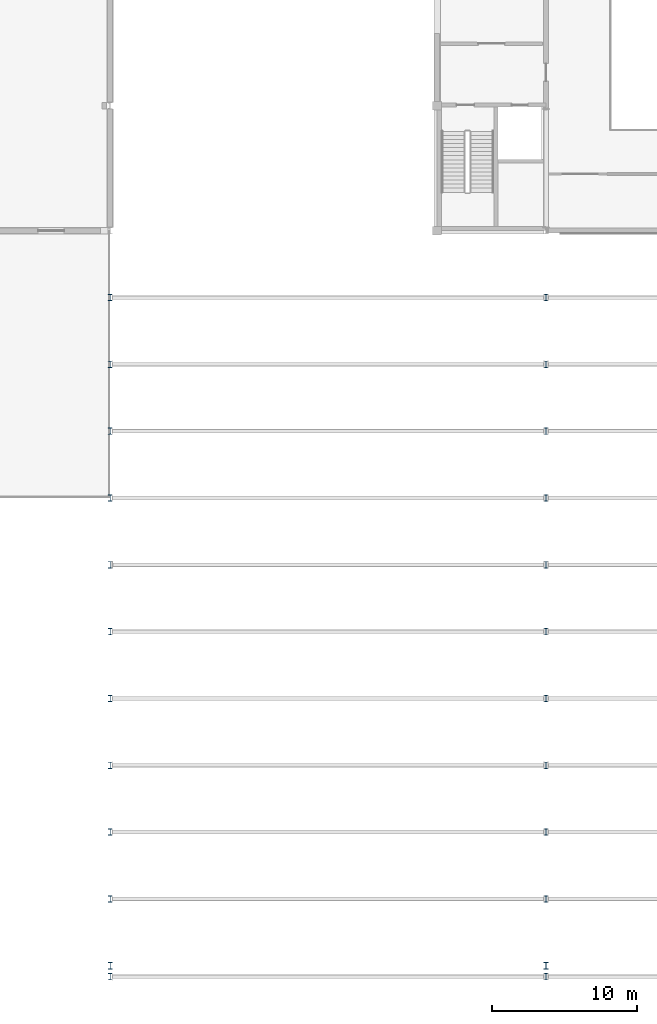
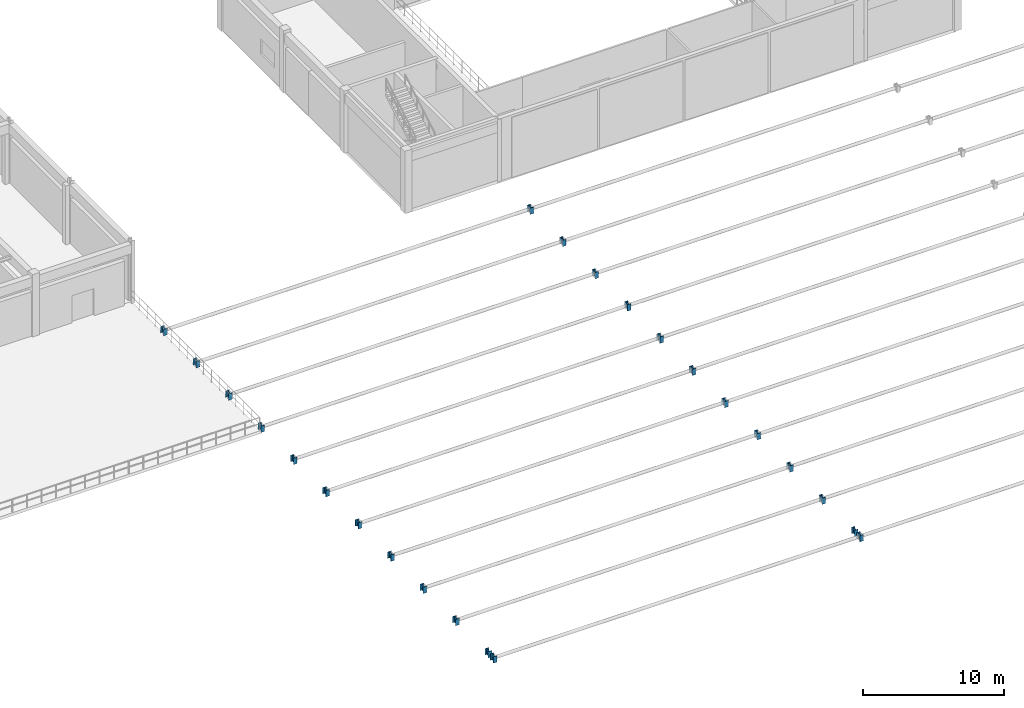
# One storey, part 8 of 38: 24 columns.
"""IFC4 building model written with IfcOpenShell, lengths in metres."""

from ifc_helpers import new_model, si_unit, direction, frame, origin, origin_2d, place, context, subcontext, project, spatial, i_section, extrude, material, material_profile, profile_set, type_object, element, save


model = new_model("IFC4")

# Units and contexts
model_context = context("Model", 3, precision=1e-05, world=origin(), true_north=direction((0.0, 1.0)))
body_context = subcontext(model_context, "Body", "Model", "MODEL_VIEW")
ifc_project = project(units=[si_unit("LENGTHUNIT", "METRE"), si_unit("AREAUNIT", "SQUARE_METRE"), si_unit("VOLUMEUNIT", "CUBIC_METRE"), si_unit("PLANEANGLEUNIT", "RADIAN"), si_unit("MASSUNIT", "GRAM", prefix="KILO")], contexts=[model_context])

# Site, building, storey
site_placement = place(None, origin())
site = spatial("IfcSite", under=ifc_project, at=site_placement, CompositionType="ELEMENT")
building_placement = place(site_placement, origin())
building = spatial("IfcBuilding", under=site, at=building_placement, Name="Muzn Square Opera House", CompositionType="ELEMENT")
storey_placement = place(building_placement, frame((0.0, 0.0, 18.0)))
storey = spatial("IfcBuildingStorey", under=building, at=storey_placement, Name="L04", CompositionType="ELEMENT", Elevation=18.0)

# Columns
ifc_material = material(Name="Steel S355", Category="steel")
ifc_material_profile = material_profile(ifc_material, i_section(OverallWidth=0.300048828125, OverallDepth=0.449951171875, WebThickness=0.013916015625, FlangeThickness=0.02587890625, FilletRadius=0.027099609375, at=origin_2d()), Name="HEB 450", Category="steel")
ifc_profile_set = profile_set([ifc_material_profile], Name="Steel S355")
column_type = type_object("IfcColumnType", Name="Steel Gallery Column HEB450", PredefinedType="COLUMN", material=ifc_profile_set)
for number, where, z_axis, x_axis, name in (
    (1, (43.0, 21.25, 0.0), (0.0, 0.0, 1.0), (1.0, 0.0, 0.0), "Barrel Vault South Eave Pedestal L1"),
    (2, (43.0, 22.0, 0.0), (0.0, 0.0, 1.0), (1.0, 0.0, 0.0), "Barrel Vault Springing Pedestal L1-00"),
    (3, (43.0, 26.60009765625, 0.0), (0.0, 0.0, 1.0), (1.0, 0.0, 0.0), "Barrel Vault Springing Pedestal L1-01"),
    (4, (43.0, 31.199951171875, 0.0), (0.0, 0.0, 1.0), (1.0, 0.0, 0.0), "Barrel Vault Springing Pedestal L1-02"),
    (5, (43.0, 35.800048828125, 0.0), (0.0, 0.0, 1.0), (1.0, 0.0, 0.0), "Barrel Vault Springing Pedestal L1-03"),
    (6, (43.0, 40.39990234375, 0.0), (0.0, 0.0, 1.0), (1.0, 0.0, 0.0), "Barrel Vault Springing Pedestal L1-04"),
    (7, (43.0, 45.0, 0.0), (0.0, 0.0, 1.0), (1.0, 0.0, 0.0), "Barrel Vault Springing Pedestal L1-05"),
    (8, (43.0, 49.60009765625, 0.0), (0.0, 0.0, 1.0), (1.0, 0.0, 0.0), "Barrel Vault Springing Pedestal L1-06"),
    (9, (43.0, 54.199951171875, 0.0), (0.0, 0.0, 1.0), (1.0, 0.0, 0.0), "Barrel Vault Springing Pedestal L1-07"),
    (10, (43.0, 58.800048828125, 0.0), (0.0, 0.0, 1.0), (1.0, 0.0, 0.0), "Barrel Vault Springing Pedestal L1-08"),
    (11, (43.0, 63.39990234375, 0.0), (0.0, 0.0, 1.0), (1.0, 0.0, 0.0), "Barrel Vault Springing Pedestal L1-09"),
    (12, (43.0, 68.0, 0.0), (0.0, 0.0, 1.0), (1.0, 0.0, 0.0), "Barrel Vault Springing Pedestal L1-10"),
    (13, (73.0, 21.25, 0.0), (0.0, 0.0, 1.0), (1.0, 0.0, 0.0), "Barrel Vault South Eave Pedestal L2"),
    (14, (73.0, 22.0, 0.0), (0.0, 0.0, 1.0), (1.0, 0.0, 0.0), "Barrel Vault Springing Pedestal L2-00"),
    (15, (73.0, 26.60009765625, 0.0), (0.0, 0.0, 1.0), (1.0, 0.0, 0.0), "Barrel Vault Springing Pedestal L2-01"),
    (16, (73.0, 31.199951171875, 0.0), (0.0, 0.0, 1.0), (1.0, 0.0, 0.0), "Barrel Vault Springing Pedestal L2-02"),
    (17, (73.0, 35.800048828125, 0.0), (0.0, 0.0, 1.0), (1.0, 0.0, 0.0), "Barrel Vault Springing Pedestal L2-03"),
    (18, (73.0, 40.39990234375, 0.0), (0.0, 0.0, 1.0), (1.0, 0.0, 0.0), "Barrel Vault Springing Pedestal L2-04"),
    (19, (73.0, 45.0, 0.0), (0.0, 0.0, 1.0), (1.0, 0.0, 0.0), "Barrel Vault Springing Pedestal L2-05"),
    (20, (73.0, 49.60009765625, 0.0), (0.0, 0.0, 1.0), (1.0, 0.0, 0.0), "Barrel Vault Springing Pedestal L2-06"),
    (21, (73.0, 54.199951171875, 0.0), (0.0, 0.0, 1.0), (1.0, 0.0, 0.0), "Barrel Vault Springing Pedestal L2-07"),
    (22, (73.0, 58.800048828125, 0.0), (0.0, 0.0, 1.0), (1.0, 0.0, 0.0), "Barrel Vault Springing Pedestal L2-08"),
    (23, (73.0, 63.39990234375, 0.0), (0.0, 0.0, 1.0), (1.0, 0.0, 0.0), "Barrel Vault Springing Pedestal L2-09"),
    (24, (73.0, 68.0, 0.0), (0.0, 0.0, 1.0), (1.0, 0.0, 0.0), "Barrel Vault Springing Pedestal L2-10"),
):
    element("IfcColumn", number, at=place(storey_placement, frame(where, z_axis=z_axis, x_axis=x_axis)), inside=storey, type_object=column_type, Name=name, PredefinedType="COLUMN", context=body_context, shape_type="SweptSolid", body=[
        extrude(i_section(OverallWidth=0.300048828125, OverallDepth=0.449951171875, WebThickness=0.013916015625, FlangeThickness=0.02587890625, FilletRadius=0.027099609375, at=origin_2d()), origin(), (0.0, 0.0, 1.0), 0.550048828125),
    ])

save(model, "model.ifc")
